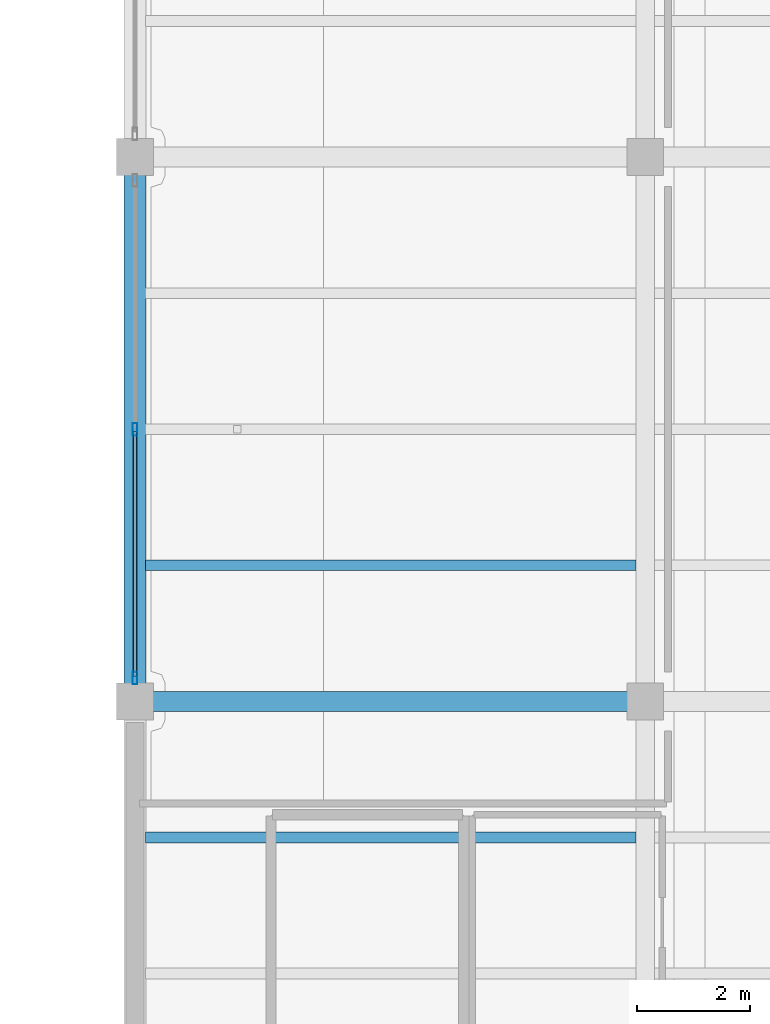
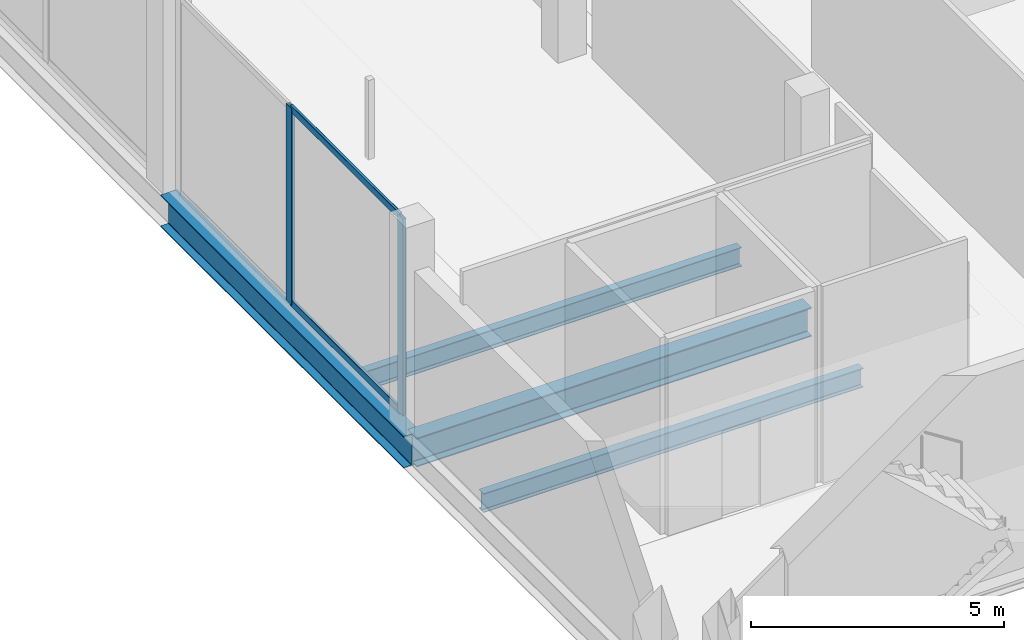
# One storey, part 3 of 46: 4 beams, 4 members, 1 element without a shape of its own.
"""IFC4 building model written with IfcOpenShell, lengths in metres."""

from ifc_helpers import new_model, si_unit, direction, frame, origin, origin_2d, place, context, subcontext, project, spatial, hollow_rectangle, i_section, extrude, material, layer, layer_set, material_profile, profile_set, type_object, element, aggregate, save


model = new_model("IFC4")

# Units and contexts
model_context = context("Model", 3, precision=1e-05, world=origin(), true_north=direction((0.0, 1.0)))
body_context = subcontext(model_context, "Body", "Model", "MODEL_VIEW")
ifc_project = project(units=[si_unit("LENGTHUNIT", "METRE"), si_unit("AREAUNIT", "SQUARE_METRE"), si_unit("VOLUMEUNIT", "CUBIC_METRE"), si_unit("PLANEANGLEUNIT", "RADIAN"), si_unit("MASSUNIT", "GRAM", prefix="KILO")], contexts=[model_context])

# Site, building, storey
site_placement = place(None, origin())
site = spatial("IfcSite", under=ifc_project, at=site_placement, CompositionType="ELEMENT")
building_placement = place(site_placement, origin())
building = spatial("IfcBuilding", under=site, at=building_placement, Name="Qorvath Tower", CompositionType="ELEMENT")
storey_placement = place(building_placement, frame((0.0, 0.0, 17.0)))
storey = spatial("IfcBuildingStorey", under=building, at=storey_placement, Name="L03", CompositionType="ELEMENT", Elevation=17.0)

# Beams
ifc_material_1 = material(Name="Steel ASTM A992 Grade 50", Category="steel")
ifc_material_profile_1 = material_profile(ifc_material_1, i_section(OverallWidth=0.381103515625, OverallDepth=0.77294921875, WebThickness=0.0166015625, FlangeThickness=0.027099609375, FilletRadius=0.01904296875, at=origin_2d()), Name="W30x173")
ifc_profile_set_1 = profile_set([ifc_material_profile_1], Name="Steel ASTM A992 Grade 50")
beam_type_1 = type_object("IfcBeamType", Name="BM-FG3", PredefinedType="BEAM", material=ifc_profile_set_1)
beam_1_placement = place(storey_placement, frame((32.39990234375, -19.199951171875, -0.646484375), z_axis=(0.0, 1.0, 0.0), x_axis=(-1.0, 0.0, 0.0)))
element("IfcBeam", 1, at=beam_1_placement, inside=storey, type_object=beam_type_1, Name="Library N-S Girder L03-1-3", PredefinedType="BEAM", context=body_context, shape_type="SweptSolid", body=[
    extrude(i_section(OverallWidth=0.381103515625, OverallDepth=0.77294921875, WebThickness=0.0166015625, FlangeThickness=0.027099609375, FilletRadius=0.01904296875, at=origin_2d()), origin(), (0.0, 0.0, 1.0), 9.599853515625),
])
ifc_material_2 = material(Name="Steel ASTM A992 Grade 50", Category="steel")
ifc_material_profile_2 = material_profile(ifc_material_2, i_section(OverallWidth=0.35595703125, OverallDepth=0.696044921875, WebThickness=0.015380859375, FlangeThickness=0.02490234375, FilletRadius=0.01806640625, at=origin_2d()), Name="W27x146")
ifc_profile_set_2 = profile_set([ifc_material_profile_2], Name="Steel ASTM A992 Grade 50")
beam_type_2 = type_object("IfcBeamType", Name="BM-FG4", PredefinedType="BEAM", material=ifc_profile_set_2)
beam_2_placement = place(storey_placement, frame((32.39990234375, -19.199951171875, -0.60791015625), z_axis=(1.0, 0.0, 0.0), x_axis=(0.0, 1.0, 0.0)))
element("IfcBeam", 2, at=beam_2_placement, inside=storey, type_object=beam_type_2, Name="Library E-W Girder L03-3-1", PredefinedType="BEAM", context=body_context, shape_type="SweptSolid", body=[
    extrude(i_section(OverallWidth=0.35595703125, OverallDepth=0.696044921875, WebThickness=0.015380859375, FlangeThickness=0.02490234375, FilletRadius=0.01806640625, at=origin_2d()), origin(), (0.0, 0.0, 1.0), 9.0),
])
ifc_material_3 = material(Name="Steel ASTM A992 Grade 50", Category="steel")
ifc_material_profile_3 = material_profile(ifc_material_3, i_section(OverallWidth=0.18994140625, OverallDepth=0.45703125, WebThickness=0.009033203125, FlangeThickness=0.014404296875, FilletRadius=0.011962890625, at=origin_2d()), Name="W18x50")
ifc_profile_set_3 = profile_set([ifc_material_profile_3], Name="Steel ASTM A992 Grade 50")
beam_type_3 = type_object("IfcBeamType", Name="BM-FJ2", PredefinedType="JOIST", material=ifc_profile_set_3)
for number, where, z_axis, x_axis, name in (
    (3, (32.58837890625, -21.60009765625, -0.488525390625), (1.0, 0.0, 0.0), (0.0, 1.0, 0.0), "Library Stack Joist L03-2.3-1"),
    (4, (32.58837890625, -16.800048828125, -0.488525390625), (1.0, 0.0, 0.0), (0.0, 1.0, 0.0), "Library Stack Joist L03-3.1-1"),
):
    element("IfcBeam", number, at=place(storey_placement, frame(where, z_axis=z_axis, x_axis=x_axis)), inside=storey, type_object=beam_type_3, Name=name, PredefinedType="JOIST", context=body_context, shape_type="SweptSolid", body=[
        extrude(i_section(OverallWidth=0.18994140625, OverallDepth=0.45703125, WebThickness=0.009033203125, FlangeThickness=0.014404296875, FilletRadius=0.011962890625, at=origin_2d()), origin(), (0.0, 0.0, 1.0), 8.651123046875),
    ])

# Curtain wall, members
ifc_material_4 = material(Name="Anodised aluminium and triple low-E glass", Category="aluminium")
ifc_layer = layer(ifc_material_4, 0.179931640625)
ifc_layer_set = layer_set([ifc_layer], Name="CW-SYS-6")
curtain_wall_type = type_object("IfcCurtainWallType", Name="CW-SYS-6", PredefinedType="NOTDEFINED", material=ifc_layer_set)
curtain_wall_placement = place(storey_placement, origin())
curtain_wall = element("IfcCurtainWall", 5, at=curtain_wall_placement, inside=storey, type_object=curtain_wall_type, Name="Curtain Wall CW-6 CW-LIB-W-L03-3", PredefinedType="NOTDEFINED")
ifc_material_5 = material(Name="Anodised aluminium 6063-T6", Category="aluminium")
ifc_material_profile_4 = material_profile(ifc_material_5, hollow_rectangle(XDim=0.080078125, YDim=0.219970703125, WallThickness=0.00439453125, InnerFilletRadius=0.00439453125, OuterFilletRadius=0.009033203125, at=origin_2d()), Name="CWM LIB 220x80")
ifc_profile_set_4 = profile_set([ifc_material_profile_4], Name="Anodised aluminium 6063-T6")
member_type_1 = type_object("IfcMemberType", Name="CWM-LIB", PredefinedType="MULLION", material=ifc_profile_set_4)
member_1_placement = place(storey_placement, frame((32.39990234375, -18.7900390625, 0.0), z_axis=(0.0, 0.0, 1.0), x_axis=(-1.0, 0.0, 0.0)))
member_1 = element("IfcMember", 6, at=member_1_placement, type_object=member_type_1, Name="CW-6 mullion 1", PredefinedType="MULLION", context=body_context, shape_type="SweptSolid", body=[
    extrude(hollow_rectangle(XDim=0.080078125, YDim=0.219970703125, WallThickness=0.00439453125, InnerFilletRadius=0.00439453125, OuterFilletRadius=0.009033203125, at=origin_2d()), origin(), (0.0, 0.0, 1.0), 4.739990234375),
])
member_2_placement = place(storey_placement, frame((32.39990234375, -14.400146484375, 0.0), z_axis=(0.0, 0.0, 1.0), x_axis=(-1.0, 0.0, 0.0)))
member_2 = element("IfcMember", 7, at=member_2_placement, type_object=member_type_1, Name="CW-6 mullion 2", PredefinedType="MULLION", context=body_context, shape_type="SweptSolid", body=[
    extrude(hollow_rectangle(XDim=0.080078125, YDim=0.219970703125, WallThickness=0.00439453125, InnerFilletRadius=0.00439453125, OuterFilletRadius=0.009033203125, at=origin_2d()), origin(), (0.0, 0.0, 1.0), 4.739990234375),
])
ifc_material_6 = material(Name="Anodised aluminium 6063-T6", Category="aluminium")
ifc_material_profile_5 = material_profile(ifc_material_6, hollow_rectangle(XDim=0.06494140625, YDim=0.159912109375, WallThickness=0.00341796875, InnerFilletRadius=0.00341796875, OuterFilletRadius=0.007080078125, at=origin_2d()), Name="CWT 160x65")
ifc_profile_set_5 = profile_set([ifc_material_profile_5], Name="Anodised aluminium 6063-T6")
member_type_2 = type_object("IfcMemberType", Name="CWT-160", PredefinedType="USERDEFINED", material=ifc_profile_set_5)
member_3_placement = place(storey_placement, frame((32.39990234375, -18.75, 0.032470703125), z_axis=(0.0, 1.0, 0.0), x_axis=(-1.0, 0.0, 0.0)))
member_3 = element("IfcMember", 8, at=member_3_placement, type_object=member_type_2, Name="CW-6 transom 1.1", ObjectType="TRANSOM", PredefinedType="USERDEFINED", context=body_context, shape_type="SweptSolid", body=[
    extrude(hollow_rectangle(XDim=0.06494140625, YDim=0.159912109375, WallThickness=0.00341796875, InnerFilletRadius=0.00341796875, OuterFilletRadius=0.007080078125, at=origin_2d()), origin(), (0.0, 0.0, 1.0), 4.31005859375),
])
member_4_placement = place(storey_placement, frame((32.39990234375, -18.75, 4.70751953125), z_axis=(0.0, 1.0, 0.0), x_axis=(-1.0, 0.0, 0.0)))
member_4 = element("IfcMember", 9, at=member_4_placement, type_object=member_type_2, Name="CW-6 transom 1.2", ObjectType="TRANSOM", PredefinedType="USERDEFINED", context=body_context, shape_type="SweptSolid", body=[
    extrude(hollow_rectangle(XDim=0.06494140625, YDim=0.159912109375, WallThickness=0.00341796875, InnerFilletRadius=0.00341796875, OuterFilletRadius=0.007080078125, at=origin_2d()), origin(), (0.0, 0.0, 1.0), 4.31005859375),
])
aggregate(curtain_wall, [member_1, member_2, member_3, member_4])

save(model, "model.ifc")
